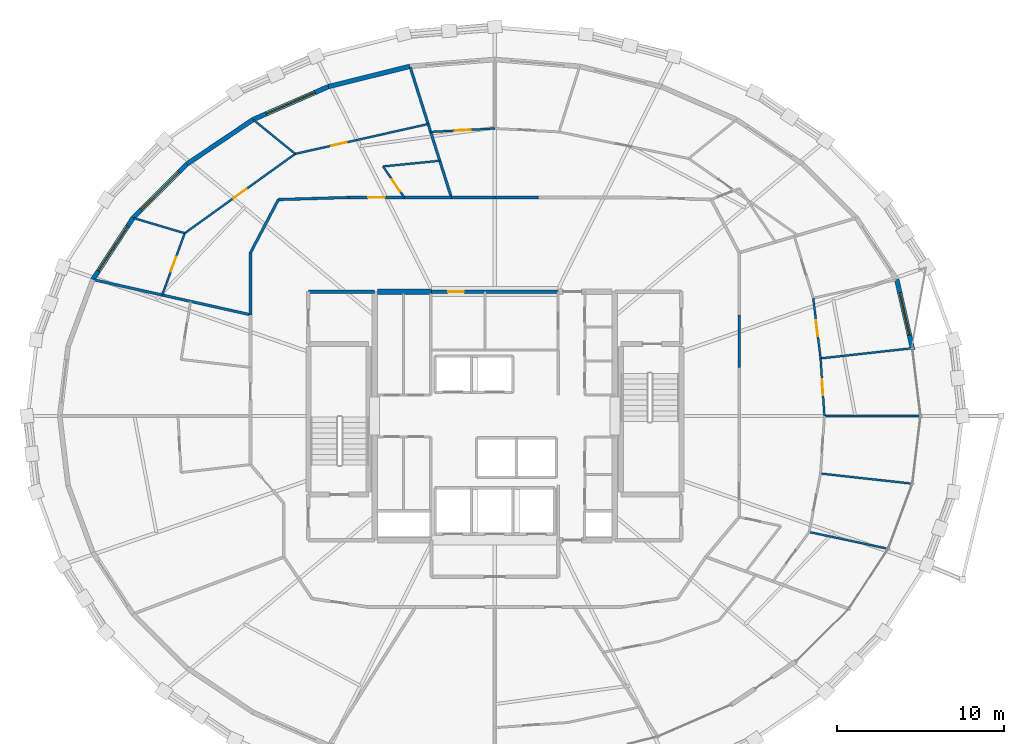
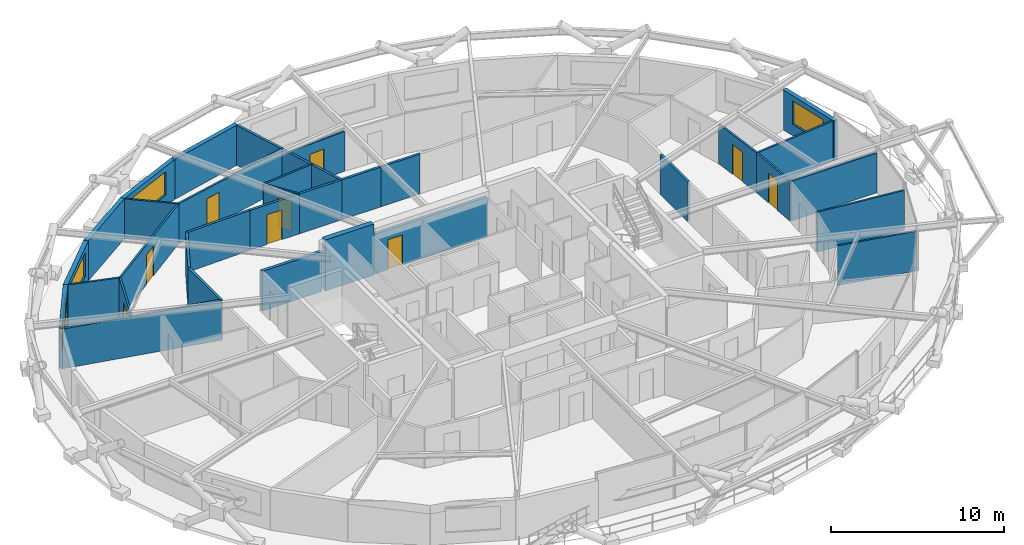
# One storey, part 17 of 20: 33 walls, 9 doors, 4 windows, 13 openings.
"""IFC4 building model written with IfcOpenShell, lengths in metres."""

from ifc_helpers import new_model, si_unit, direction, frame, frame_2d, origin, place, context, subcontext, project, spatial, rectangle, extrude, material, layer, layer_set, type_object, element, fill, save


model = new_model("IFC4")

# Units and contexts
model_context = context("Model", 3, precision=1e-05, world=origin(), true_north=direction((0.0, 1.0)))
body_context = subcontext(model_context, "Body", "Model", "MODEL_VIEW")
ifc_project = project(units=[si_unit("LENGTHUNIT", "METRE"), si_unit("AREAUNIT", "SQUARE_METRE"), si_unit("VOLUMEUNIT", "CUBIC_METRE"), si_unit("PLANEANGLEUNIT", "RADIAN"), si_unit("MASSUNIT", "GRAM", prefix="KILO")], contexts=[model_context])

# Site, building, storey
site_placement = place(None, origin())
site = spatial("IfcSite", under=ifc_project, at=site_placement, CompositionType="ELEMENT")
building_placement = place(site_placement, origin())
building = spatial("IfcBuilding", under=site, at=building_placement, Name="Veldorina Hangang Commons", CompositionType="ELEMENT")
storey_placement = place(building_placement, frame((0.0, 0.0, 171.199951171875)))
storey = spatial("IfcBuildingStorey", under=building, at=storey_placement, Name="L44", CompositionType="ELEMENT", Elevation=171.199951171875)

# Wall
ifc_material_1 = material(Name="Concrete C60/75", Category="concrete")
ifc_layer_1 = layer(ifc_material_1, 0.340087890625)
ifc_layer_set_1 = layer_set([ifc_layer_1], Name="Concrete C60/75")
wall_type_1 = type_object("IfcWallType", Name="CW-RC340-C60", PredefinedType="SHEAR", material=ifc_layer_set_1)
wall_1_placement = place(storey_placement, frame((24.969970703125, 31.449951171875, 0.0), z_axis=(0.0, 0.0, 1.0), x_axis=(1.0, 0.0, 0.0)))
element("IfcWall", 1, at=wall_1_placement, inside=storey, type_object=wall_type_1, Name="L44 north-west core shear wall", PredefinedType="SHEAR", context=body_context, shape_type="SweptSolid", body=[
    extrude(rectangle(XDim=3.22998046875, YDim=0.340087890625, at=frame_2d((1.614990234375, 0.0))), origin(), (0.0, 0.0, 1.0), 3.60009765625),
])

# Wall, opening, window
ifc_material_2 = material(Name="Stone Roman Travertine", Category="masonry")
ifc_layer_2 = layer(ifc_material_2, 0.280029296875)
ifc_layer_set_2 = layer_set([ifc_layer_2], Name="Stone Roman Travertine")
wall_type_2 = type_object("IfcWallType", Name="EW-TRAV-280", PredefinedType="STANDARD", material=ifc_layer_set_2)
wall_2_placement = place(storey_placement, frame((57.0576171875, 27.970703125, 0.0), z_axis=(0.0, 0.0, 1.0), x_axis=(-0.221420598178, 0.975178403525, 0.0)))
wall_2 = element("IfcWall", 2, at=wall_2_placement, inside=storey, type_object=wall_type_2, Name="L44 travertine facade wall 01", PredefinedType="STANDARD", context=body_context, shape_type="SweptSolid", body=[
    extrude(rectangle(XDim=4.315673828125, YDim=0.280029296875, at=frame_2d((2.15771484375, 0.0))), origin(), (0.0, 0.0, 1.0), 2.820068359375),
])
opening_1_placement = place(wall_2_placement, frame((0.90380859375, 0.0, 0.800048828125)))
opening_1 = element("IfcOpeningElement", 3, at=opening_1_placement, cuts=wall_2, Name="Opening W-02", PredefinedType="OPENING", context=body_context, shape_type="SweptSolid", body=[
    extrude(rectangle(XDim=2.60009765625, YDim=1.64990234375, at=frame_2d((1.300048828125, 0.824951171875))), frame((0.0, 0.14990234375, 0.0), z_axis=(0.0, -1.0, 0.0), x_axis=(1.0, 0.0, 0.0)), (0.0, 0.0, 1.0), 0.300048828125),
])
ifc_material_3 = material(Name="Glass Low-E Triple IGU", Category="glass")
window_type_1 = type_object("IfcWindowType", Name="WIN-TWR-2600", PartitioningType="SINGLE_PANEL", PredefinedType="WINDOW", material=ifc_material_3)
window_1_placement = place(opening_1_placement, origin())
window_1 = element("IfcWindow", 4, at=window_1_placement, inside=storey, type_object=window_type_1, Name="L44 facade window 01", OverallHeight=1.64990234375, OverallWidth=2.60009765625, PartitioningType="SINGLE_PANEL", PredefinedType="WINDOW", context=body_context, shape_type="SweptSolid", body=[
    extrude(rectangle(XDim=2.60009765625, YDim=1.64990234375, at=frame_2d((1.300048828125, 0.824951171875))), frame((0.0, 0.030029296875, 0.0), z_axis=(0.0, -1.0, 0.0), x_axis=(1.0, 0.0, 0.0)), (0.0, 0.0, 1.0), 0.06005859375),
])
fill(opening_1, window_1)

# Wall
wall_3_placement = place(storey_placement, frame((26.910400390625, 44.962890625, 0.0), z_axis=(0.0, 0.0, 1.0), x_axis=(-0.970474792374, -0.241202565009, 0.0)))
element("IfcWall", 5, at=wall_3_placement, inside=storey, type_object=wall_type_2, Name="L44 travertine facade wall 09", PredefinedType="STANDARD", context=body_context, shape_type="SweptSolid", body=[
    extrude(rectangle(XDim=5.042724609375, YDim=0.280029296875, at=frame_2d((2.521484375, 0.0))), origin(), (0.0, 0.0, 1.0), 2.820068359375),
])

# Wall, opening, window
wall_4_placement = place(storey_placement, frame((22.0166015625, 43.74658203125, 0.0), z_axis=(0.0, 0.0, 1.0), x_axis=(-0.916018444192, -0.401136148832, 0.0)))
wall_4 = element("IfcWall", 6, at=wall_4_placement, inside=storey, type_object=wall_type_2, Name="L44 travertine facade wall 10", PredefinedType="STANDARD", context=body_context, shape_type="SweptSolid", body=[
    extrude(rectangle(XDim=4.923828125, YDim=0.280029296875, at=frame_2d((2.4619140625, 0.0))), origin(), (0.0, 0.0, 1.0), 2.820068359375),
])
opening_2_placement = place(wall_4_placement, frame((0.86181640625, 0.0, 0.800048828125)))
opening_2 = element("IfcOpeningElement", 7, at=opening_2_placement, cuts=wall_4, Name="Opening W-01", PredefinedType="OPENING", context=body_context, shape_type="SweptSolid", body=[
    extrude(rectangle(XDim=3.199951171875, YDim=1.64990234375, at=frame_2d((1.60009765625, 0.824951171875))), frame((0.0, 0.14990234375, 0.0), z_axis=(0.0, -1.0, 0.0), x_axis=(1.0, 0.0, 0.0)), (0.0, 0.0, 1.0), 0.300048828125),
])
window_type_2 = type_object("IfcWindowType", Name="WIN-TWR-3200", PartitioningType="SINGLE_PANEL", PredefinedType="WINDOW", material=ifc_material_3)
window_2_placement = place(opening_2_placement, origin())
window_2 = element("IfcWindow", 8, at=window_2_placement, inside=storey, type_object=window_type_2, Name="L44 facade window 10", OverallHeight=1.64990234375, OverallWidth=3.199951171875, PartitioningType="SINGLE_PANEL", PredefinedType="WINDOW", context=body_context, shape_type="SweptSolid", body=[
    extrude(rectangle(XDim=3.199951171875, YDim=1.64990234375, at=frame_2d((1.60009765625, 0.824951171875))), frame((0.0, 0.030029296875, 0.0), z_axis=(0.0, -1.0, 0.0), x_axis=(1.0, 0.0, 0.0)), (0.0, 0.0, 1.0), 0.06005859375),
])
fill(opening_2, window_2)

# Wall
wall_5_placement = place(storey_placement, frame((17.50634765625, 41.771484375, 0.0), z_axis=(0.0, 0.0, 1.0), x_axis=(-0.82985197946, -0.557983594909, 0.0)))
element("IfcWall", 9, at=wall_5_placement, inside=storey, type_object=wall_type_2, Name="L44 travertine facade wall 11", PredefinedType="STANDARD", context=body_context, shape_type="SweptSolid", body=[
    extrude(rectangle(XDim=4.763916015625, YDim=0.280029296875, at=frame_2d((2.3818359375, 0.0))), origin(), (0.0, 0.0, 1.0), 2.820068359375),
])

# Wall, opening, window
wall_6_placement = place(storey_placement, frame((13.552978515625, 39.11328125, 0.0), z_axis=(0.0, 0.0, 1.0), x_axis=(-0.707692376563, -0.706520700443, 0.0)))
wall_6 = element("IfcWall", 10, at=wall_6_placement, inside=storey, type_object=wall_type_2, Name="L44 travertine facade wall 12", PredefinedType="STANDARD", context=body_context, shape_type="SweptSolid", body=[
    extrude(rectangle(XDim=4.584228515625, YDim=0.280029296875, at=frame_2d((2.2919921875, 0.0))), origin(), (0.0, 0.0, 1.0), 2.820068359375),
])
opening_3_placement = place(wall_6_placement, frame((0.692138671875, 0.0, 0.800048828125)))
opening_3 = element("IfcOpeningElement", 11, at=opening_3_placement, cuts=wall_6, Name="Opening W-01", PredefinedType="OPENING", context=body_context, shape_type="SweptSolid", body=[
    extrude(rectangle(XDim=3.199951171875, YDim=1.64990234375, at=frame_2d((1.60009765625, 0.824951171875))), frame((0.0, 0.14990234375, 0.0), z_axis=(0.0, -1.0, 0.0), x_axis=(1.0, 0.0, 0.0)), (0.0, 0.0, 1.0), 0.300048828125),
])
window_3_placement = place(opening_3_placement, origin())
window_3 = element("IfcWindow", 12, at=window_3_placement, inside=storey, type_object=window_type_2, Name="L44 facade window 12", OverallHeight=1.64990234375, OverallWidth=3.199951171875, PartitioningType="SINGLE_PANEL", PredefinedType="WINDOW", context=body_context, shape_type="SweptSolid", body=[
    extrude(rectangle(XDim=3.199951171875, YDim=1.64990234375, at=frame_2d((1.60009765625, 0.824951171875))), frame((0.0, 0.030029296875, 0.0), z_axis=(0.0, -1.0, 0.0), x_axis=(1.0, 0.0, 0.0)), (0.0, 0.0, 1.0), 0.06005859375),
])
fill(opening_3, window_3)

wall_7_placement = place(storey_placement, frame((10.308837890625, 35.87451171875, 0.0), z_axis=(0.0, 0.0, 1.0), x_axis=(-0.546411241489, -0.837517017841, 0.0)))
wall_7 = element("IfcWall", 13, at=wall_7_placement, inside=storey, type_object=wall_type_2, Name="L44 travertine facade wall 13", PredefinedType="STANDARD", context=body_context, shape_type="SweptSolid", body=[
    extrude(rectangle(XDim=4.412109375, YDim=0.280029296875, at=frame_2d((2.2060546875, 0.0))), origin(), (0.0, 0.0, 1.0), 2.820068359375),
])
opening_4_placement = place(wall_7_placement, frame((0.60595703125, 0.0, 0.800048828125)))
opening_4 = element("IfcOpeningElement", 14, at=opening_4_placement, cuts=wall_7, Name="Opening W-01", PredefinedType="OPENING", context=body_context, shape_type="SweptSolid", body=[
    extrude(rectangle(XDim=3.199951171875, YDim=1.64990234375, at=frame_2d((1.60009765625, 0.824951171875))), frame((0.0, 0.14990234375, 0.0), z_axis=(0.0, -1.0, 0.0), x_axis=(1.0, 0.0, 0.0)), (0.0, 0.0, 1.0), 0.300048828125),
])
window_4_placement = place(opening_4_placement, origin())
window_4 = element("IfcWindow", 15, at=window_4_placement, inside=storey, type_object=window_type_2, Name="L44 facade window 13", OverallHeight=1.64990234375, OverallWidth=3.199951171875, PartitioningType="SINGLE_PANEL", PredefinedType="WINDOW", context=body_context, shape_type="SweptSolid", body=[
    extrude(rectangle(XDim=3.199951171875, YDim=1.64990234375, at=frame_2d((1.60009765625, 0.824951171875))), frame((0.0, 0.030029296875, 0.0), z_axis=(0.0, -1.0, 0.0), x_axis=(1.0, 0.0, 0.0)), (0.0, 0.0, 1.0), 0.06005859375),
])
fill(opening_4, window_4)

# Walls
ifc_material_4 = material(Name="Gypsum Fire-Rated Twin Stud Wall", Category="gypsum")
ifc_layer_3 = layer(ifc_material_4, 0.159912109375)
ifc_layer_set_3 = layer_set([ifc_layer_3], Name="Gypsum Fire-Rated Twin Stud Wall")
wall_type_3 = type_object("IfcWallType", Name="WL-FIRE-160", PredefinedType="SOLIDWALL", material=ifc_layer_set_3)
wall_8_placement = place(storey_placement, frame((46.64990234375, 26.9140625, 0.0), z_axis=(0.0, 0.0, 1.0), x_axis=(0.0, 1.0, 0.0)))
element("IfcWall", 16, at=wall_8_placement, inside=storey, type_object=wall_type_3, Name="L44 U-corridor outer wall 01 051", PredefinedType="SOLIDWALL", context=body_context, shape_type="SweptSolid", body=[
    extrude(rectangle(XDim=3.154052734375, YDim=0.159912109375, at=frame_2d((1.5771484375, 0.0))), origin(), (0.0, 0.0, 1.0), 2.800048828125),
])
for number, where, z_axis, x_axis, name in (
    (17, (34.605712890625, 37.10009765625, 0.0), (0.0, 0.0, 1.0), (-1.0, 0.0, 0.0), "L44 U-corridor outer wall 07 057"),
    (18, (32.0, 37.10009765625, 0.0), (0.0, 0.0, 1.0), (-1.0, 0.0, 0.0), "L44 U-corridor outer wall 08 058"),
):
    element("IfcWall", number, at=place(storey_placement, frame(where, z_axis=z_axis, x_axis=x_axis)), inside=storey, type_object=wall_type_3, Name=name, PredefinedType="SOLIDWALL", context=body_context, shape_type="SweptSolid", body=[
        extrude(rectangle(XDim=2.605712890625, YDim=0.159912109375, at=frame_2d((1.302734375, 0.0))), origin(), (0.0, 0.0, 1.0), 2.800048828125),
    ])
wall_9_placement = place(storey_placement, frame((29.394287109375, 37.10009765625, 0.0), z_axis=(0.0, 0.0, 1.0), x_axis=(-1.0, 0.0, 0.0)))
element("IfcWall", 19, at=wall_9_placement, inside=storey, type_object=wall_type_3, Name="L44 U-corridor outer wall 09 059", PredefinedType="SOLIDWALL", context=body_context, shape_type="SweptSolid", body=[
    extrude(rectangle(XDim=2.820556640625, YDim=0.159912109375, at=frame_2d((1.41015625, 0.0))), origin(), (0.0, 0.0, 1.0), 2.800048828125),
])

# Wall, opening, door
wall_10_placement = place(storey_placement, frame((26.57373046875, 37.10009765625, 0.0), z_axis=(0.0, 0.0, 1.0), x_axis=(-1.0, 0.0, 0.0)))
wall_10 = element("IfcWall", 20, at=wall_10_placement, inside=storey, type_object=wall_type_3, Name="L44 U-corridor outer wall 10 060", PredefinedType="SOLIDWALL", context=body_context, shape_type="SweptSolid", body=[
    extrude(rectangle(XDim=3.326904296875, YDim=0.159912109375, at=frame_2d((1.66357421875, 0.0))), origin(), (0.0, 0.0, 1.0), 2.800048828125),
])
opening_5_placement = place(wall_10_placement, frame((1.16357421875, 0.0, 0.0)))
opening_5 = element("IfcOpeningElement", 21, at=opening_5_placement, cuts=wall_10, Name="Opening D-06", PredefinedType="OPENING", context=body_context, shape_type="SweptSolid", body=[
    extrude(rectangle(XDim=1.0, YDim=2.10009765625, at=frame_2d((0.5, 1.050048828125))), frame((0.0, 0.08984375, 0.0), z_axis=(0.0, -1.0, 0.0), x_axis=(1.0, 0.0, 0.0)), (0.0, 0.0, 1.0), 0.179931640625),
])
ifc_material_5 = material(Name="Timber Fire-Rated Entrance Core", Category="wood")
door_type_1 = type_object("IfcDoorType", Name="DR-UNIT-1000", OperationType="SINGLE_SWING_LEFT", PredefinedType="DOOR", material=ifc_material_5)
door_1_placement = place(opening_5_placement, origin())
door_1 = element("IfcDoor", 22, at=door_1_placement, inside=storey, type_object=door_type_1, Name="L44 Cluster 4 entrance door 039", OperationType="SINGLE_SWING_LEFT", OverallHeight=2.10009765625, OverallWidth=1.0, PredefinedType="DOOR", context=body_context, shape_type="SweptSolid", body=[
    extrude(rectangle(XDim=1.0, YDim=2.10009765625, at=frame_2d((0.5, 1.050048828125))), frame((0.0, 0.02490234375, 0.0), z_axis=(0.0, -1.0, 0.0), x_axis=(1.0, 0.0, 0.0)), (0.0, 0.0, 1.0), 0.050048828125),
])
fill(opening_5, door_1)

# Walls
wall_11_placement = place(storey_placement, frame((23.246826171875, 37.10009765625, 0.0), z_axis=(0.0, 0.0, 1.0), x_axis=(-0.999561990195, -0.029594387265, 0.0)))
element("IfcWall", 23, at=wall_11_placement, inside=storey, type_object=wall_type_3, Name="L44 U-corridor outer wall 11 061", PredefinedType="SOLIDWALL", context=body_context, shape_type="SweptSolid", body=[
    extrude(rectangle(XDim=4.223876953125, YDim=0.159912109375, at=frame_2d((2.11181640625, 0.0))), origin(), (0.0, 0.0, 1.0), 2.800048828125),
])
wall_12_placement = place(storey_placement, frame((19.02490234375, 36.97509765625, 0.0), z_axis=(0.0, 0.0, 1.0), x_axis=(-0.46527115782, -0.885168204185, 0.0)))
element("IfcWall", 24, at=wall_12_placement, inside=storey, type_object=wall_type_3, Name="L44 U-corridor outer wall 12 062", PredefinedType="SOLIDWALL", context=body_context, shape_type="SweptSolid", body=[
    extrude(rectangle(XDim=3.599609375, YDim=0.159912109375, at=frame_2d((1.7998046875, 0.0))), origin(), (0.0, 0.0, 1.0), 2.800048828125),
])
wall_13_placement = place(storey_placement, frame((17.35009765625, 33.788818359375, 0.0), z_axis=(0.0, 0.0, 1.0), x_axis=(0.0, -1.0, 0.0)))
element("IfcWall", 25, at=wall_13_placement, inside=storey, type_object=wall_type_3, Name="L44 U-corridor outer wall 13 063", PredefinedType="SOLIDWALL", context=body_context, shape_type="SweptSolid", body=[
    extrude(rectangle(XDim=3.720703125, YDim=0.159912109375, at=frame_2d((1.8603515625, 0.0))), origin(), (0.0, 0.0, 1.0), 2.800048828125),
])
wall_14_placement = place(storey_placement, frame((29.394287109375, 37.10009765625, 0.0), z_axis=(0.0, 0.0, 1.0), x_axis=(-0.301228312568, 0.953552045621, 0.0)))
element("IfcWall", 26, at=wall_14_placement, inside=storey, type_object=wall_type_3, Name="L44 Unit party wall 09 110", PredefinedType="SOLIDWALL", context=body_context, shape_type="SweptSolid", body=[
    extrude(rectangle(XDim=8.195556640625, YDim=0.159912109375, at=frame_2d((4.09765625, 0.0))), origin(), (0.0, 0.0, 1.0), 2.800048828125),
])
wall_15_placement = place(storey_placement, frame((17.35009765625, 30.068115234375, 0.0), z_axis=(0.0, 0.0, 1.0), x_axis=(-0.975950982727, 0.217990089947, 0.0)))
element("IfcWall", 27, at=wall_15_placement, inside=storey, type_object=wall_type_3, Name="L44 Unit party wall 14 118", PredefinedType="SOLIDWALL", context=body_context, shape_type="SweptSolid", body=[
    extrude(rectangle(XDim=9.635009765625, YDim=0.159912109375, at=frame_2d((4.8173828125, 0.0))), origin(), (0.0, 0.0, 1.0), 2.800048828125),
])
ifc_material_6 = material(Name="Concrete Blockwork Fire Wall C30/37", Category="masonry")
ifc_layer_4 = layer(ifc_material_6, 0.199951171875)
ifc_layer_set_4 = layer_set([ifc_layer_4], Name="Concrete Blockwork Fire Wall C30/37")
wall_type_4 = type_object("IfcWallType", Name="WL-FIRE-200", PredefinedType="SOLIDWALL", material=ifc_layer_set_4)
wall_16_placement = place(storey_placement, frame((20.820068359375, 31.449951171875, 0.0), z_axis=(0.0, 0.0, 1.0), x_axis=(1.0, 0.0, 0.0)))
element("IfcWall", 28, at=wall_16_placement, inside=storey, type_object=wall_type_4, Name="L44 NW core room north wall 006", PredefinedType="SOLIDWALL", context=body_context, shape_type="SweptSolid", body=[
    extrude(rectangle(XDim=3.97998046875, YDim=0.199951171875, at=frame_2d((1.989990234375, 0.0))), origin(), (0.0, 0.0, 1.0), 2.800048828125),
])

# Wall, opening, door
wall_17_placement = place(storey_placement, frame((28.199951171875, 31.449951171875, 0.0), z_axis=(0.0, 0.0, 1.0), x_axis=(1.0, 0.0, 0.0)))
wall_17 = element("IfcWall", 29, at=wall_17_placement, inside=storey, type_object=wall_type_4, Name="L44 Merged north core wall 031", PredefinedType="SOLIDWALL", context=body_context, shape_type="SweptSolid", body=[
    extrude(rectangle(XDim=7.60009765625, YDim=0.199951171875, at=frame_2d((3.800048828125, 0.0))), origin(), (0.0, 0.0, 1.0), 2.800048828125),
])
opening_6_placement = place(wall_17_placement, frame((1.0, 0.0, 0.0)))
opening_6 = element("IfcOpeningElement", 30, at=opening_6_placement, cuts=wall_17, Name="Opening D-02", PredefinedType="OPENING", context=body_context, shape_type="SweptSolid", body=[
    extrude(rectangle(XDim=0.949951171875, YDim=2.10009765625, at=frame_2d((0.47509765625, 1.050048828125))), frame((0.0, 0.10986328125, 0.0), z_axis=(0.0, -1.0, 0.0), x_axis=(1.0, 0.0, 0.0)), (0.0, 0.0, 1.0), 0.219970703125),
])
ifc_material_7 = material(Name="Timber Solid Core Acoustic", Category="wood")
door_type_2 = type_object("IfcDoorType", Name="DR-INT-950", OperationType="SINGLE_SWING_LEFT", PredefinedType="DOOR", material=ifc_material_7)
door_2_placement = place(opening_6_placement, origin())
door_2 = element("IfcDoor", 31, at=door_2_placement, inside=storey, type_object=door_type_2, Name="L44 Core study alcove door 011", OperationType="SINGLE_SWING_LEFT", OverallHeight=2.10009765625, OverallWidth=0.949951171875, PredefinedType="DOOR", context=body_context, shape_type="SweptSolid", body=[
    extrude(rectangle(XDim=0.949951171875, YDim=2.10009765625, at=frame_2d((0.47509765625, 1.050048828125))), frame((0.0, 0.02490234375, 0.0), z_axis=(0.0, -1.0, 0.0), x_axis=(1.0, 0.0, 0.0)), (0.0, 0.0, 1.0), 0.050048828125),
])
fill(opening_6, door_2)

# Walls
ifc_material_8 = material(Name="Gypsum Acoustic Stud Partition", Category="gypsum")
ifc_layer_5 = layer(ifc_material_8, 0.1201171875)
ifc_layer_set_5 = layer_set([ifc_layer_5], Name="Gypsum Acoustic Stud Partition")
wall_type_5 = type_object("IfcWallType", Name="WL-PART-120", PredefinedType="PARTITIONING", material=ifc_layer_set_5)
wall_18_placement = place(storey_placement, frame((50.849365234375, 17.040283203125, 0.0), z_axis=(0.0, 0.0, 1.0), x_axis=(0.978199629962, -0.207666761766, 0.0)))
element("IfcWall", 32, at=wall_18_placement, inside=storey, type_object=wall_type_5, Name="L44 Cluster 2 bed divider 1 091", PredefinedType="PARTITIONING", context=body_context, shape_type="SweptSolid", body=[
    extrude(rectangle(XDim=4.790771484375, YDim=0.1201171875, at=frame_2d((2.3955078125, 0.0))), origin(), (0.0, 0.0, 1.0), 2.800048828125),
])
wall_19_placement = place(storey_placement, frame((51.531982421875, 20.547119140625, 0.0), z_axis=(0.0, 0.0, 1.0), x_axis=(0.993965909691, -0.109689426891, 0.0)))
element("IfcWall", 33, at=wall_19_placement, inside=storey, type_object=wall_type_5, Name="L44 Cluster 2 bed divider 2 093", PredefinedType="PARTITIONING", context=body_context, shape_type="SweptSolid", body=[
    extrude(rectangle(XDim=5.48876953125, YDim=0.1201171875, at=frame_2d((2.744384765625, 0.0))), origin(), (0.0, 0.0, 1.0), 2.800048828125),
])

# Wall, opening, door
wall_20_placement = place(storey_placement, frame((51.7626953125, 24.0, 0.0), z_axis=(0.0, 0.0, 1.0), x_axis=(-0.066668848455, 0.99777515736, 0.0)))
wall_20 = element("IfcWall", 34, at=wall_20_placement, inside=storey, type_object=wall_type_5, Name="L44 Cluster 2 bed 4 front wall 094", PredefinedType="PARTITIONING", context=body_context, shape_type="SweptSolid", body=[
    extrude(rectangle(XDim=3.460693359375, YDim=0.1201171875, at=frame_2d((1.73046875, 0.0))), origin(), (0.0, 0.0, 1.0), 2.800048828125),
])
opening_7_placement = place(wall_20_placement, frame((1.25537109375, 0.0, 0.0)))
opening_7 = element("IfcOpeningElement", 35, at=opening_7_placement, cuts=wall_20, Name="Opening D-02", PredefinedType="OPENING", context=body_context, shape_type="SweptSolid", body=[
    extrude(rectangle(XDim=0.949951171875, YDim=2.10009765625, at=frame_2d((0.47509765625, 1.050048828125))), frame((0.0, 0.070068359375, 0.0), z_axis=(0.0, -1.0, 0.0), x_axis=(1.0, 0.0, 0.0)), (0.0, 0.0, 1.0), 0.14013671875),
])
door_3_placement = place(opening_7_placement, origin())
door_3 = element("IfcDoor", 36, at=door_3_placement, inside=storey, type_object=door_type_2, Name="L44 Cluster 2 bed 4 door 029", OperationType="SINGLE_SWING_LEFT", OverallHeight=2.10009765625, OverallWidth=0.949951171875, PredefinedType="DOOR", context=body_context, shape_type="SweptSolid", body=[
    extrude(rectangle(XDim=0.949951171875, YDim=2.10009765625, at=frame_2d((0.47509765625, 1.050048828125))), frame((0.0, 0.02490234375, 0.0), z_axis=(0.0, -1.0, 0.0), x_axis=(1.0, 0.0, 0.0)), (0.0, 0.0, 1.0), 0.050048828125),
])
fill(opening_7, door_3)

# Wall
wall_21_placement = place(storey_placement, frame((51.7626953125, 24.0, 0.0), z_axis=(0.0, 0.0, 1.0), x_axis=(1.0, 0.0, 0.0)))
element("IfcWall", 37, at=wall_21_placement, inside=storey, type_object=wall_type_5, Name="L44 Cluster 2 bed divider 3 095", PredefinedType="PARTITIONING", context=body_context, shape_type="SweptSolid", body=[
    extrude(rectangle(XDim=5.715087890625, YDim=0.1201171875, at=frame_2d((2.857421875, 0.0))), origin(), (0.0, 0.0, 1.0), 2.800048828125),
])

# Wall, opening, door
wall_22_placement = place(storey_placement, frame((51.531982421875, 27.452880859375, 0.0), z_axis=(0.0, 0.0, 1.0), x_axis=(-0.120991408466, 0.992653554407, 0.0)))
wall_22 = element("IfcWall", 38, at=wall_22_placement, inside=storey, type_object=wall_type_5, Name="L44 Cluster 2 bed 5 front wall 096", PredefinedType="PARTITIONING", context=body_context, shape_type="SweptSolid", body=[
    extrude(rectangle(XDim=3.634033203125, YDim=0.1201171875, at=frame_2d((1.81689453125, 0.0))), origin(), (0.0, 0.0, 1.0), 2.800048828125),
])
opening_8_placement = place(wall_22_placement, frame((1.342041015625, 0.0, 0.0)))
opening_8 = element("IfcOpeningElement", 39, at=opening_8_placement, cuts=wall_22, Name="Opening D-02", PredefinedType="OPENING", context=body_context, shape_type="SweptSolid", body=[
    extrude(rectangle(XDim=0.949951171875, YDim=2.10009765625, at=frame_2d((0.47509765625, 1.050048828125))), frame((0.0, 0.070068359375, 0.0), z_axis=(0.0, -1.0, 0.0), x_axis=(1.0, 0.0, 0.0)), (0.0, 0.0, 1.0), 0.14013671875),
])
door_4_placement = place(opening_8_placement, origin())
door_4 = element("IfcDoor", 40, at=door_4_placement, inside=storey, type_object=door_type_2, Name="L44 Cluster 2 bed 5 door 030", OperationType="SINGLE_SWING_RIGHT", OverallHeight=2.10009765625, OverallWidth=0.949951171875, PredefinedType="DOOR", context=body_context, shape_type="SweptSolid", body=[
    extrude(rectangle(XDim=0.949951171875, YDim=2.10009765625, at=frame_2d((0.47509765625, 1.050048828125))), frame((0.0, 0.02490234375, 0.0), z_axis=(0.0, -1.0, 0.0), x_axis=(1.0, 0.0, 0.0)), (0.0, 0.0, 1.0), 0.050048828125),
])
fill(opening_8, door_4)

# Wall
wall_23_placement = place(storey_placement, frame((51.531982421875, 27.452880859375, 0.0), z_axis=(0.0, 0.0, 1.0), x_axis=(0.993965909691, 0.109689426891, 0.0)))
element("IfcWall", 41, at=wall_23_placement, inside=storey, type_object=wall_type_5, Name="L44 Cluster 2 bed divider 4 097", PredefinedType="PARTITIONING", context=body_context, shape_type="SweptSolid", body=[
    extrude(rectangle(XDim=5.48876953125, YDim=0.1201171875, at=frame_2d((2.744384765625, 0.0))), origin(), (0.0, 0.0, 1.0), 2.800048828125),
])

# Wall, opening, door
wall_24_placement = place(storey_placement, frame((32.0, 41.23681640625, 0.0), z_axis=(0.0, 0.0, 1.0), x_axis=(-0.998579231715, -0.053287127784, 0.0)))
wall_24 = element("IfcWall", 42, at=wall_24_placement, inside=storey, type_object=wall_type_5, Name="L44 Cluster 3 bed 4 front wall 108", PredefinedType="PARTITIONING", context=body_context, shape_type="SweptSolid", body=[
    extrude(rectangle(XDim=3.85302734375, YDim=0.1201171875, at=frame_2d((1.926513671875, 0.0))), origin(), (0.0, 0.0, 1.0), 2.800048828125),
])
opening_9_placement = place(wall_24_placement, frame((1.45166015625, 0.0, 0.0)))
opening_9 = element("IfcOpeningElement", 43, at=opening_9_placement, cuts=wall_24, Name="Opening D-02", PredefinedType="OPENING", context=body_context, shape_type="SweptSolid", body=[
    extrude(rectangle(XDim=0.949951171875, YDim=2.10009765625, at=frame_2d((0.47509765625, 1.050048828125))), frame((0.0, 0.070068359375, 0.0), z_axis=(0.0, -1.0, 0.0), x_axis=(1.0, 0.0, 0.0)), (0.0, 0.0, 1.0), 0.14013671875),
])
door_5_placement = place(opening_9_placement, origin())
door_5 = element("IfcDoor", 44, at=door_5_placement, inside=storey, type_object=door_type_2, Name="L44 Cluster 3 bed 4 door 037", OperationType="SINGLE_SWING_LEFT", OverallHeight=2.10009765625, OverallWidth=0.949951171875, PredefinedType="DOOR", context=body_context, shape_type="SweptSolid", body=[
    extrude(rectangle(XDim=0.949951171875, YDim=2.10009765625, at=frame_2d((0.47509765625, 1.050048828125))), frame((0.0, 0.02490234375, 0.0), z_axis=(0.0, -1.0, 0.0), x_axis=(1.0, 0.0, 0.0)), (0.0, 0.0, 1.0), 0.050048828125),
])
fill(opening_9, door_5)

# Wall
wall_25_placement = place(storey_placement, frame((28.69873046875, 39.301513671875, 0.0), z_axis=(0.0, 0.0, 1.0), x_axis=(-0.995023035558, -0.099645164006, 0.0)))
element("IfcWall", 45, at=wall_25_placement, inside=storey, type_object=wall_type_5, Name="L44 Cluster 4 bath front wall 111", PredefinedType="PARTITIONING", context=body_context, shape_type="SweptSolid", body=[
    extrude(rectangle(XDim=3.41796875, YDim=0.1201171875, at=frame_2d((1.708984375, 0.0))), origin(), (0.0, 0.0, 1.0), 2.800048828125),
])

# Wall, opening, door
wall_26_placement = place(storey_placement, frame((26.57373046875, 37.10009765625, 0.0), z_axis=(0.0, 0.0, 1.0), x_axis=(-0.565490503486, 0.824754806271, 0.0)))
wall_26 = element("IfcWall", 46, at=wall_26_placement, inside=storey, type_object=wall_type_5, Name="L44 Cluster 4 bath side wall 112", PredefinedType="PARTITIONING", context=body_context, shape_type="SweptSolid", body=[
    extrude(rectangle(XDim=2.25634765625, YDim=0.1201171875, at=frame_2d((1.128173828125, 0.0))), origin(), (0.0, 0.0, 1.0), 2.800048828125),
])
opening_10_placement = place(wall_26_placement, frame((0.43994140625, 0.0, 0.0)))
opening_10 = element("IfcOpeningElement", 47, at=opening_10_placement, cuts=wall_26, Name="Opening D-01", PredefinedType="OPENING", context=body_context, shape_type="SweptSolid", body=[
    extrude(rectangle(XDim=0.860107421875, YDim=2.10009765625, at=frame_2d((0.43017578125, 1.050048828125))), frame((0.0, 0.070068359375, 0.0), z_axis=(0.0, -1.0, 0.0), x_axis=(1.0, 0.0, 0.0)), (0.0, 0.0, 1.0), 0.14013671875),
])
ifc_material_9 = material(Name="Timber Moisture-Resistant Core", Category="wood")
door_type_3 = type_object("IfcDoorType", Name="DR-WET-860", OperationType="SINGLE_SWING_LEFT", PredefinedType="DOOR", material=ifc_material_9)
door_6_placement = place(opening_10_placement, origin())
door_6 = element("IfcDoor", 48, at=door_6_placement, inside=storey, type_object=door_type_3, Name="L44 Cluster 4 shared bathroom door 038", OperationType="SINGLE_SWING_RIGHT", OverallHeight=2.10009765625, OverallWidth=0.860107421875, PredefinedType="DOOR", context=body_context, shape_type="SweptSolid", body=[
    extrude(rectangle(XDim=0.860107421875, YDim=2.10009765625, at=frame_2d((0.43017578125, 1.050048828125))), frame((0.0, 0.02490234375, 0.0), z_axis=(0.0, -1.0, 0.0), x_axis=(1.0, 0.0, 0.0)), (0.0, 0.0, 1.0), 0.050048828125),
])
fill(opening_10, door_6)

wall_27_placement = place(storey_placement, frame((28.00341796875, 41.503173828125, 0.0), z_axis=(0.0, 0.0, 1.0), x_axis=(-0.975777479016, -0.218765425617, 0.0)))
wall_27 = element("IfcWall", 49, at=wall_27_placement, inside=storey, type_object=wall_type_5, Name="L44 Cluster 4 bed 1 front wall 113", PredefinedType="PARTITIONING", context=body_context, shape_type="SweptSolid", body=[
    extrude(rectangle(XDim=8.1689453125, YDim=0.1201171875, at=frame_2d((4.08447265625, 0.0))), origin(), (0.0, 0.0, 1.0), 2.800048828125),
])
opening_11_placement = place(wall_27_placement, frame((5.004150390625, 0.0, 0.0)))
opening_11 = element("IfcOpeningElement", 50, at=opening_11_placement, cuts=wall_27, Name="Opening D-02", PredefinedType="OPENING", context=body_context, shape_type="SweptSolid", body=[
    extrude(rectangle(XDim=0.949951171875, YDim=2.10009765625, at=frame_2d((0.47509765625, 1.050048828125))), frame((0.0, 0.070068359375, 0.0), z_axis=(0.0, -1.0, 0.0), x_axis=(1.0, 0.0, 0.0)), (0.0, 0.0, 1.0), 0.14013671875),
])
door_7_placement = place(opening_11_placement, origin())
door_7 = element("IfcDoor", 51, at=door_7_placement, inside=storey, type_object=door_type_2, Name="L44 Cluster 4 bed 1 door 040", OperationType="SINGLE_SWING_RIGHT", OverallHeight=2.10009765625, OverallWidth=0.949951171875, PredefinedType="DOOR", context=body_context, shape_type="SweptSolid", body=[
    extrude(rectangle(XDim=0.949951171875, YDim=2.10009765625, at=frame_2d((0.47509765625, 1.050048828125))), frame((0.0, 0.02490234375, 0.0), z_axis=(0.0, -1.0, 0.0), x_axis=(1.0, 0.0, 0.0)), (0.0, 0.0, 1.0), 0.050048828125),
])
fill(opening_11, door_7)

wall_28_placement = place(storey_placement, frame((20.0322265625, 39.716064453125, 0.0), z_axis=(0.0, 0.0, 1.0), x_axis=(-0.812167375512, -0.58342450596, 0.0)))
wall_28 = element("IfcWall", 52, at=wall_28_placement, inside=storey, type_object=wall_type_5, Name="L44 Cluster 4 bed 2 front wall 114", PredefinedType="PARTITIONING", context=body_context, shape_type="SweptSolid", body=[
    extrude(rectangle(XDim=8.157470703125, YDim=0.1201171875, at=frame_2d((4.07861328125, 0.0))), origin(), (0.0, 0.0, 1.0), 2.800048828125),
])
opening_12_placement = place(wall_28_placement, frame((3.603759765625, 0.0, 0.0)))
opening_12 = element("IfcOpeningElement", 53, at=opening_12_placement, cuts=wall_28, Name="Opening D-02", PredefinedType="OPENING", context=body_context, shape_type="SweptSolid", body=[
    extrude(rectangle(XDim=0.949951171875, YDim=2.10009765625, at=frame_2d((0.47509765625, 1.050048828125))), frame((0.0, 0.070068359375, 0.0), z_axis=(0.0, -1.0, 0.0), x_axis=(1.0, 0.0, 0.0)), (0.0, 0.0, 1.0), 0.14013671875),
])
door_8_placement = place(opening_12_placement, origin())
door_8 = element("IfcDoor", 54, at=door_8_placement, inside=storey, type_object=door_type_2, Name="L44 Cluster 4 bed 2 door 041", OperationType="SINGLE_SWING_LEFT", OverallHeight=2.10009765625, OverallWidth=0.949951171875, PredefinedType="DOOR", context=body_context, shape_type="SweptSolid", body=[
    extrude(rectangle(XDim=0.949951171875, YDim=2.10009765625, at=frame_2d((0.47509765625, 1.050048828125))), frame((0.0, 0.02490234375, 0.0), z_axis=(0.0, -1.0, 0.0), x_axis=(1.0, 0.0, 0.0)), (0.0, 0.0, 1.0), 0.050048828125),
])
fill(opening_12, door_8)

# Wall
wall_29_placement = place(storey_placement, frame((20.0322265625, 39.716064453125, 0.0), z_axis=(0.0, 0.0, 1.0), x_axis=(-0.775664293068, 0.631145707788, 0.0)))
element("IfcWall", 55, at=wall_29_placement, inside=storey, type_object=wall_type_5, Name="L44 Cluster 4 bed divider 1 115", PredefinedType="PARTITIONING", context=body_context, shape_type="SweptSolid", body=[
    extrude(rectangle(XDim=3.206298828125, YDim=0.1201171875, at=frame_2d((1.60302734375, 0.0))), origin(), (0.0, 0.0, 1.0), 2.800048828125),
])

# Wall, opening, door
wall_30_placement = place(storey_placement, frame((13.406982421875, 34.956787109375, 0.0), z_axis=(0.0, 0.0, 1.0), x_axis=(-0.342269779856, -0.939601722964, 0.0)))
wall_30 = element("IfcWall", 56, at=wall_30_placement, inside=storey, type_object=wall_type_5, Name="L44 Cluster 4 bed 3 front wall 116", PredefinedType="PARTITIONING", context=body_context, shape_type="SweptSolid", body=[
    extrude(rectangle(XDim=3.944580078125, YDim=0.1201171875, at=frame_2d((1.97216796875, 0.0))), origin(), (0.0, 0.0, 1.0), 2.800048828125),
])
opening_13_placement = place(wall_30_placement, frame((1.497314453125, 0.0, 0.0)))
opening_13 = element("IfcOpeningElement", 57, at=opening_13_placement, cuts=wall_30, Name="Opening D-02", PredefinedType="OPENING", context=body_context, shape_type="SweptSolid", body=[
    extrude(rectangle(XDim=0.949951171875, YDim=2.10009765625, at=frame_2d((0.47509765625, 1.050048828125))), frame((0.0, 0.070068359375, 0.0), z_axis=(0.0, -1.0, 0.0), x_axis=(1.0, 0.0, 0.0)), (0.0, 0.0, 1.0), 0.14013671875),
])
door_9_placement = place(opening_13_placement, origin())
door_9 = element("IfcDoor", 58, at=door_9_placement, inside=storey, type_object=door_type_2, Name="L44 Cluster 4 bed 3 door 042", OperationType="SINGLE_SWING_RIGHT", OverallHeight=2.10009765625, OverallWidth=0.949951171875, PredefinedType="DOOR", context=body_context, shape_type="SweptSolid", body=[
    extrude(rectangle(XDim=0.949951171875, YDim=2.10009765625, at=frame_2d((0.47509765625, 1.050048828125))), frame((0.0, 0.02490234375, 0.0), z_axis=(0.0, -1.0, 0.0), x_axis=(1.0, 0.0, 0.0)), (0.0, 0.0, 1.0), 0.050048828125),
])
fill(opening_13, door_9)

# Wall
wall_31_placement = place(storey_placement, frame((13.406982421875, 34.956787109375, 0.0), z_axis=(0.0, 0.0, 1.0), x_axis=(-0.958817465397, 0.284023006198, 0.0)))
element("IfcWall", 59, at=wall_31_placement, inside=storey, type_object=wall_type_5, Name="L44 Cluster 4 bed divider 2 117", PredefinedType="PARTITIONING", context=body_context, shape_type="SweptSolid", body=[
    extrude(rectangle(XDim=3.181396484375, YDim=0.1201171875, at=frame_2d((1.5908203125, 0.0))), origin(), (0.0, 0.0, 1.0), 2.800048828125),
])

save(model, "model.ifc")
